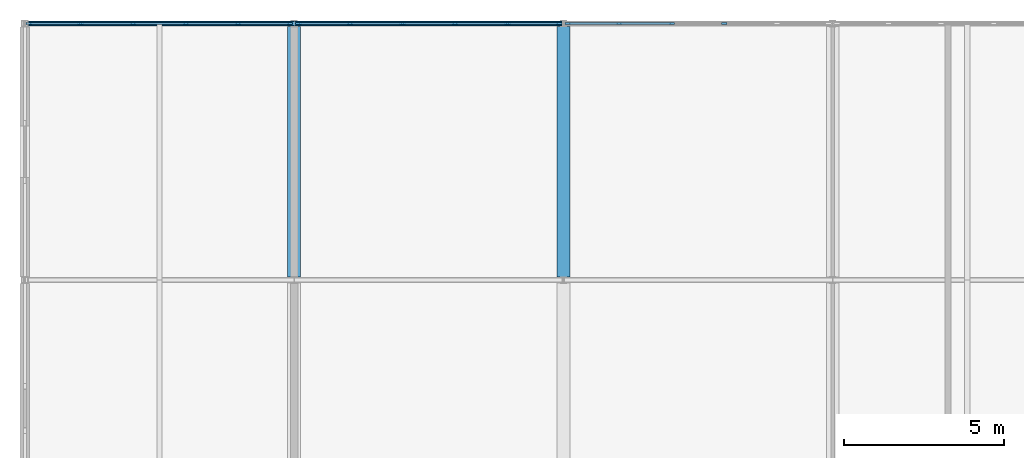
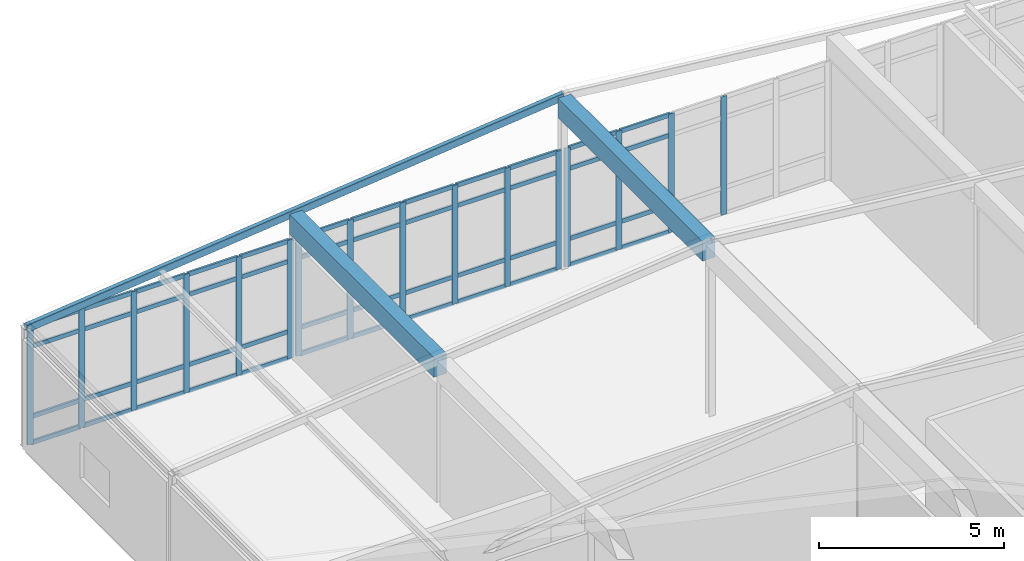
# One storey, part 12 of 25: 65 members, 2 beams, 3 elements without a shape of their own.
"""IFC4 building model written with IfcOpenShell, lengths in metres."""

from ifc_helpers import new_model, si_unit, direction, frame, origin, origin_2d, place, context, subcontext, project, spatial, rectangle, hollow_rectangle, extrude, material, layer, layer_set, material_profile, profile_set, type_object, element, aggregate, save


model = new_model("IFC4")

# Units and contexts
model_context = context("Model", 3, precision=1e-05, world=origin(), true_north=direction((0.0, 1.0)))
body_context = subcontext(model_context, "Body", "Model", "MODEL_VIEW")
ifc_project = project(units=[si_unit("LENGTHUNIT", "METRE"), si_unit("AREAUNIT", "SQUARE_METRE"), si_unit("VOLUMEUNIT", "CUBIC_METRE"), si_unit("PLANEANGLEUNIT", "RADIAN"), si_unit("MASSUNIT", "GRAM", prefix="KILO")], contexts=[model_context])

# Site, building, storey
site_placement = place(None, origin())
site = spatial("IfcSite", under=ifc_project, at=site_placement, CompositionType="ELEMENT")
building_placement = place(site_placement, origin())
building = spatial("IfcBuilding", under=site, at=building_placement, Name="Kranzveld Transit Interchange", CompositionType="ELEMENT")
storey_placement = place(building_placement, frame((0.0, 0.0, 21.0400390625)))
storey = spatial("IfcBuildingStorey", under=building, at=storey_placement, Name="L05", CompositionType="ELEMENT", Elevation=21.0400390625)

# Beams
ifc_material_1 = material(Name="Concrete C35/45", Category="concrete")
ifc_material_profile_1 = material_profile(ifc_material_1, rectangle(XDim=0.39990234375, YDim=0.64990234375, at=origin_2d()), Name="RC 400x650")
ifc_profile_set_1 = profile_set([ifc_material_profile_1], Name="Concrete C35/45")
beam_type = type_object("IfcBeamType", Name="Beam RC 400x650 C35/45", PredefinedType="BEAM", material=ifc_profile_set_1)
for number, where, z_axis, x_axis, name in (
    (1, (8.39990234375, 104.091552734375, 4.494873046875), (0.0, 1.0, 0.0), (-1.0, 0.0, 0.0), "L05 Crown Beam 02/P-Q"),
    (2, (16.800048828125, 104.091552734375, 5.39501953125), (0.0, 1.0, 0.0), (-1.0, 0.0, 0.0), "L05 Crown Beam 03/P-Q"),
):
    element("IfcBeam", number, at=place(storey_placement, frame(where, z_axis=z_axis, x_axis=x_axis)), inside=storey, type_object=beam_type, Name=name, PredefinedType="BEAM", context=body_context, shape_type="SweptSolid", body=[
        extrude(rectangle(XDim=0.39990234375, YDim=0.64990234375, at=origin_2d()), origin(), (0.0, 0.0, 1.0), 7.81689453125),
    ])

# Curtain wall, members
ifc_material_2 = material(Name="Bronze-anodised thermally broken aluminium", Category="aluminium")
ifc_layer = layer(ifc_material_2, 0.18505859375)
ifc_layer_set = layer_set([ifc_layer], Name="Bronze-anodised thermally broken aluminium")
curtain_wall_type = type_object("IfcCurtainWallType", Name="Control Crown Observation Facade CW-5", PredefinedType="USERDEFINED", material=ifc_layer_set)
curtain_wall_1_placement = place(storey_placement, origin())
curtain_wall_1 = element("IfcCurtainWall", 3, at=curtain_wall_1_placement, inside=storey, type_object=curtain_wall_type, Name="L05 Curtain Wall 01/Q-02/Q", ObjectType="CURTAIN WALL", PredefinedType="USERDEFINED")
ifc_material_3 = material(Name="Bronze-anodised thermally broken aluminium", Category="aluminium")
ifc_material_profile_2 = material_profile(ifc_material_3, rectangle(XDim=0.06494140625, YDim=0.179931640625, at=origin_2d()), Name="ALU MULLION 65x180")
ifc_profile_set_2 = profile_set([ifc_material_profile_2], Name="Bronze-anodised thermally broken aluminium")
member_type_1 = type_object("IfcMemberType", Name="Curtain Wall Mullion 65x180 Alu", PredefinedType="MULLION", material=ifc_profile_set_2)
member_1_placement = place(storey_placement, frame((0.132568359375, 112.0, 0.0), z_axis=(0.0, 0.0, 1.0), x_axis=(0.0, 1.0, 0.0)))
member_1 = element("IfcMember", 4, at=member_1_placement, type_object=member_type_1, Name="CW-5 mullion 1", PredefinedType="MULLION", context=body_context, shape_type="SweptSolid", body=[
    extrude(rectangle(XDim=0.06494140625, YDim=0.179931640625, at=origin_2d()), origin(), (0.0, 0.0, 1.0), 3.919921875),
])
member_2_placement = place(storey_placement, frame((1.73974609375, 112.0, 0.0), z_axis=(0.0, 0.0, 1.0), x_axis=(0.0, 1.0, 0.0)))
member_2 = element("IfcMember", 5, at=member_2_placement, type_object=member_type_1, Name="CW-5 mullion 2", PredefinedType="MULLION", context=body_context, shape_type="SweptSolid", body=[
    extrude(rectangle(XDim=0.06494140625, YDim=0.179931640625, at=origin_2d()), origin(), (0.0, 0.0, 1.0), 3.919921875),
])
member_3_placement = place(storey_placement, frame((3.37939453125, 112.0, 0.0), z_axis=(0.0, 0.0, 1.0), x_axis=(0.0, 1.0, 0.0)))
member_3 = element("IfcMember", 6, at=member_3_placement, type_object=member_type_1, Name="CW-5 mullion 3", PredefinedType="MULLION", context=body_context, shape_type="SweptSolid", body=[
    extrude(rectangle(XDim=0.06494140625, YDim=0.179931640625, at=origin_2d()), origin(), (0.0, 0.0, 1.0), 3.919921875),
])
member_4_placement = place(storey_placement, frame((5.018798828125, 112.0, 0.0), z_axis=(0.0, 0.0, 1.0), x_axis=(0.0, 1.0, 0.0)))
member_4 = element("IfcMember", 7, at=member_4_placement, type_object=member_type_1, Name="CW-5 mullion 4", PredefinedType="MULLION", context=body_context, shape_type="SweptSolid", body=[
    extrude(rectangle(XDim=0.06494140625, YDim=0.179931640625, at=origin_2d()), origin(), (0.0, 0.0, 1.0), 3.919921875),
])
member_5_placement = place(storey_placement, frame((6.658447265625, 112.0, 0.0), z_axis=(0.0, 0.0, 1.0), x_axis=(0.0, 1.0, 0.0)))
member_5 = element("IfcMember", 8, at=member_5_placement, type_object=member_type_1, Name="CW-5 mullion 5", PredefinedType="MULLION", context=body_context, shape_type="SweptSolid", body=[
    extrude(rectangle(XDim=0.06494140625, YDim=0.179931640625, at=origin_2d()), origin(), (0.0, 0.0, 1.0), 3.919921875),
])
member_6_placement = place(storey_placement, frame((8.265625, 112.0, 0.0), z_axis=(0.0, 0.0, 1.0), x_axis=(0.0, 1.0, 0.0)))
member_6 = element("IfcMember", 9, at=member_6_placement, type_object=member_type_1, Name="CW-5 mullion 6", PredefinedType="MULLION", context=body_context, shape_type="SweptSolid", body=[
    extrude(rectangle(XDim=0.06494140625, YDim=0.179931640625, at=origin_2d()), origin(), (0.0, 0.0, 1.0), 3.919921875),
])

curtain_wall_2_placement = place(storey_placement, origin())
curtain_wall_2 = element("IfcCurtainWall", 10, at=curtain_wall_2_placement, inside=storey, type_object=curtain_wall_type, Name="L05 Curtain Wall 02/Q-03/Q", ObjectType="CURTAIN WALL", PredefinedType="USERDEFINED")
member_7_placement = place(storey_placement, frame((8.5341796875, 112.0, 0.0), z_axis=(0.0, 0.0, 1.0), x_axis=(0.0, 1.0, 0.0)))
member_7 = element("IfcMember", 11, at=member_7_placement, type_object=member_type_1, Name="CW-5 mullion 1", PredefinedType="MULLION", context=body_context, shape_type="SweptSolid", body=[
    extrude(rectangle(XDim=0.06494140625, YDim=0.179931640625, at=origin_2d()), origin(), (0.0, 0.0, 1.0), 3.919921875),
])
member_8_placement = place(storey_placement, frame((10.14111328125, 112.0, 0.0), z_axis=(0.0, 0.0, 1.0), x_axis=(0.0, 1.0, 0.0)))
member_8 = element("IfcMember", 12, at=member_8_placement, type_object=member_type_1, Name="CW-5 mullion 2", PredefinedType="MULLION", context=body_context, shape_type="SweptSolid", body=[
    extrude(rectangle(XDim=0.06494140625, YDim=0.179931640625, at=origin_2d()), origin(), (0.0, 0.0, 1.0), 3.919921875),
])
member_9_placement = place(storey_placement, frame((11.7802734375, 112.0, 0.0), z_axis=(0.0, 0.0, 1.0), x_axis=(0.0, 1.0, 0.0)))
member_9 = element("IfcMember", 13, at=member_9_placement, type_object=member_type_1, Name="CW-5 mullion 3", PredefinedType="MULLION", context=body_context, shape_type="SweptSolid", body=[
    extrude(rectangle(XDim=0.06494140625, YDim=0.179931640625, at=origin_2d()), origin(), (0.0, 0.0, 1.0), 3.919921875),
])
member_10_placement = place(storey_placement, frame((13.419677734375, 112.0, 0.0), z_axis=(0.0, 0.0, 1.0), x_axis=(0.0, 1.0, 0.0)))
member_10 = element("IfcMember", 14, at=member_10_placement, type_object=member_type_1, Name="CW-5 mullion 4", PredefinedType="MULLION", context=body_context, shape_type="SweptSolid", body=[
    extrude(rectangle(XDim=0.06494140625, YDim=0.179931640625, at=origin_2d()), origin(), (0.0, 0.0, 1.0), 3.919921875),
])
member_11_placement = place(storey_placement, frame((15.058837890625, 112.0, 0.0), z_axis=(0.0, 0.0, 1.0), x_axis=(0.0, 1.0, 0.0)))
member_11 = element("IfcMember", 15, at=member_11_placement, type_object=member_type_1, Name="CW-5 mullion 5", PredefinedType="MULLION", context=body_context, shape_type="SweptSolid", body=[
    extrude(rectangle(XDim=0.06494140625, YDim=0.179931640625, at=origin_2d()), origin(), (0.0, 0.0, 1.0), 3.919921875),
])
member_12_placement = place(storey_placement, frame((16.665771484375, 112.0, 0.0), z_axis=(0.0, 0.0, 1.0), x_axis=(0.0, 1.0, 0.0)))
member_12 = element("IfcMember", 16, at=member_12_placement, type_object=member_type_1, Name="CW-5 mullion 6", PredefinedType="MULLION", context=body_context, shape_type="SweptSolid", body=[
    extrude(rectangle(XDim=0.06494140625, YDim=0.179931640625, at=origin_2d()), origin(), (0.0, 0.0, 1.0), 3.919921875),
])

curtain_wall_3_placement = place(storey_placement, origin())
curtain_wall_3 = element("IfcCurtainWall", 17, at=curtain_wall_3_placement, inside=storey, type_object=curtain_wall_type, Name="L05 Curtain Wall 03/Q-04/Q", ObjectType="CURTAIN WALL", PredefinedType="USERDEFINED")
member_13_placement = place(storey_placement, frame((16.934326171875, 112.0, 0.0), z_axis=(0.0, 0.0, 1.0), x_axis=(0.0, 1.0, 0.0)))
member_13 = element("IfcMember", 18, at=member_13_placement, type_object=member_type_1, Name="CW-5 mullion 1", PredefinedType="MULLION", context=body_context, shape_type="SweptSolid", body=[
    extrude(rectangle(XDim=0.06494140625, YDim=0.179931640625, at=origin_2d()), origin(), (0.0, 0.0, 1.0), 3.919921875),
])
member_14_placement = place(storey_placement, frame((18.541015625, 112.0, 0.0), z_axis=(0.0, 0.0, 1.0), x_axis=(0.0, 1.0, 0.0)))
member_14 = element("IfcMember", 19, at=member_14_placement, type_object=member_type_1, Name="CW-5 mullion 2", PredefinedType="MULLION", context=body_context, shape_type="SweptSolid", body=[
    extrude(rectangle(XDim=0.06494140625, YDim=0.179931640625, at=origin_2d()), origin(), (0.0, 0.0, 1.0), 3.919921875),
])
member_15_placement = place(storey_placement, frame((20.180419921875, 112.0, 0.0), z_axis=(0.0, 0.0, 1.0), x_axis=(0.0, 1.0, 0.0)))
member_15 = element("IfcMember", 20, at=member_15_placement, type_object=member_type_1, Name="CW-5 mullion 3", PredefinedType="MULLION", context=body_context, shape_type="SweptSolid", body=[
    extrude(rectangle(XDim=0.06494140625, YDim=0.179931640625, at=origin_2d()), origin(), (0.0, 0.0, 1.0), 3.919921875),
])
member_16_placement = place(storey_placement, frame((21.819580078125, 112.0, 0.0), z_axis=(0.0, 0.0, 1.0), x_axis=(0.0, 1.0, 0.0)))
member_16 = element("IfcMember", 21, at=member_16_placement, type_object=member_type_1, Name="CW-5 mullion 4", PredefinedType="MULLION", context=body_context, shape_type="SweptSolid", body=[
    extrude(rectangle(XDim=0.06494140625, YDim=0.179931640625, at=origin_2d()), origin(), (0.0, 0.0, 1.0), 3.919921875),
])

# Member
ifc_material_4 = material(Name="Bronze-anodised thermally broken aluminium", Category="aluminium")
ifc_material_profile_3 = material_profile(ifc_material_4, rectangle(XDim=0.06494140625, YDim=0.139892578125, at=origin_2d()), Name="ALU TRANSOM 65x140")
ifc_profile_set_3 = profile_set([ifc_material_profile_3], Name="Bronze-anodised thermally broken aluminium")
member_type_2 = type_object("IfcMemberType", Name="Curtain Wall Transom 65x140 Alu", PredefinedType="USERDEFINED", material=ifc_profile_set_3)
member_17_placement = place(storey_placement, frame((0.1650390625, 112.0, 0.032470703125), z_axis=(1.0, 0.0, 0.0), x_axis=(0.0, 1.0, 0.0)))
member_17 = element("IfcMember", 22, at=member_17_placement, type_object=member_type_2, Name="CW-5 transom 1.1", ObjectType="TRANSOM", PredefinedType="USERDEFINED", context=body_context, shape_type="SweptSolid", body=[
    extrude(rectangle(XDim=0.06494140625, YDim=0.139892578125, at=origin_2d()), origin(), (0.0, 0.0, 1.0), 1.5419921875),
])

member_18_placement = place(storey_placement, frame((0.1650390625, 112.0, 0.89990234375), z_axis=(1.0, 0.0, 0.0), x_axis=(0.0, 1.0, 0.0)))
member_18 = element("IfcMember", 23, at=member_18_placement, type_object=member_type_2, Name="CW-5 transom 1.2", ObjectType="TRANSOM", PredefinedType="USERDEFINED", context=body_context, shape_type="SweptSolid", body=[
    extrude(rectangle(XDim=0.06494140625, YDim=0.139892578125, at=origin_2d()), origin(), (0.0, 0.0, 1.0), 1.5419921875),
])

member_19_placement = place(storey_placement, frame((0.1650390625, 112.0, 3.219970703125), z_axis=(1.0, 0.0, 0.0), x_axis=(0.0, 1.0, 0.0)))
member_19 = element("IfcMember", 24, at=member_19_placement, type_object=member_type_2, Name="CW-5 transom 1.3", ObjectType="TRANSOM", PredefinedType="USERDEFINED", context=body_context, shape_type="SweptSolid", body=[
    extrude(rectangle(XDim=0.06494140625, YDim=0.139892578125, at=origin_2d()), origin(), (0.0, 0.0, 1.0), 1.5419921875),
])

member_20_placement = place(storey_placement, frame((0.1650390625, 112.0, 3.887451171875), z_axis=(1.0, 0.0, 0.0), x_axis=(0.0, 1.0, 0.0)))
member_20 = element("IfcMember", 25, at=member_20_placement, type_object=member_type_2, Name="CW-5 transom 1.4", ObjectType="TRANSOM", PredefinedType="USERDEFINED", context=body_context, shape_type="SweptSolid", body=[
    extrude(rectangle(XDim=0.06494140625, YDim=0.139892578125, at=origin_2d()), origin(), (0.0, 0.0, 1.0), 1.5419921875),
])

member_21_placement = place(storey_placement, frame((1.772216796875, 112.0, 0.032470703125), z_axis=(1.0, 0.0, 0.0), x_axis=(0.0, 1.0, 0.0)))
member_21 = element("IfcMember", 26, at=member_21_placement, type_object=member_type_2, Name="CW-5 transom 2.1", ObjectType="TRANSOM", PredefinedType="USERDEFINED", context=body_context, shape_type="SweptSolid", body=[
    extrude(rectangle(XDim=0.06494140625, YDim=0.139892578125, at=origin_2d()), origin(), (0.0, 0.0, 1.0), 1.574462890625),
])

member_22_placement = place(storey_placement, frame((1.772216796875, 112.0, 0.89990234375), z_axis=(1.0, 0.0, 0.0), x_axis=(0.0, 1.0, 0.0)))
member_22 = element("IfcMember", 27, at=member_22_placement, type_object=member_type_2, Name="CW-5 transom 2.2", ObjectType="TRANSOM", PredefinedType="USERDEFINED", context=body_context, shape_type="SweptSolid", body=[
    extrude(rectangle(XDim=0.06494140625, YDim=0.139892578125, at=origin_2d()), origin(), (0.0, 0.0, 1.0), 1.574462890625),
])

member_23_placement = place(storey_placement, frame((1.772216796875, 112.0, 3.219970703125), z_axis=(1.0, 0.0, 0.0), x_axis=(0.0, 1.0, 0.0)))
member_23 = element("IfcMember", 28, at=member_23_placement, type_object=member_type_2, Name="CW-5 transom 2.3", ObjectType="TRANSOM", PredefinedType="USERDEFINED", context=body_context, shape_type="SweptSolid", body=[
    extrude(rectangle(XDim=0.06494140625, YDim=0.139892578125, at=origin_2d()), origin(), (0.0, 0.0, 1.0), 1.574462890625),
])

member_24_placement = place(storey_placement, frame((1.772216796875, 112.0, 3.887451171875), z_axis=(1.0, 0.0, 0.0), x_axis=(0.0, 1.0, 0.0)))
member_24 = element("IfcMember", 29, at=member_24_placement, type_object=member_type_2, Name="CW-5 transom 2.4", ObjectType="TRANSOM", PredefinedType="USERDEFINED", context=body_context, shape_type="SweptSolid", body=[
    extrude(rectangle(XDim=0.06494140625, YDim=0.139892578125, at=origin_2d()), origin(), (0.0, 0.0, 1.0), 1.574462890625),
])

member_25_placement = place(storey_placement, frame((3.411865234375, 112.0, 0.032470703125), z_axis=(1.0, 0.0, 0.0), x_axis=(0.0, 1.0, 0.0)))
member_25 = element("IfcMember", 30, at=member_25_placement, type_object=member_type_2, Name="CW-5 transom 3.1", ObjectType="TRANSOM", PredefinedType="USERDEFINED", context=body_context, shape_type="SweptSolid", body=[
    extrude(rectangle(XDim=0.06494140625, YDim=0.139892578125, at=origin_2d()), origin(), (0.0, 0.0, 1.0), 1.574462890625),
])

member_26_placement = place(storey_placement, frame((3.411865234375, 112.0, 0.89990234375), z_axis=(1.0, 0.0, 0.0), x_axis=(0.0, 1.0, 0.0)))
member_26 = element("IfcMember", 31, at=member_26_placement, type_object=member_type_2, Name="CW-5 transom 3.2", ObjectType="TRANSOM", PredefinedType="USERDEFINED", context=body_context, shape_type="SweptSolid", body=[
    extrude(rectangle(XDim=0.06494140625, YDim=0.139892578125, at=origin_2d()), origin(), (0.0, 0.0, 1.0), 1.574462890625),
])

member_27_placement = place(storey_placement, frame((3.411865234375, 112.0, 3.219970703125), z_axis=(1.0, 0.0, 0.0), x_axis=(0.0, 1.0, 0.0)))
member_27 = element("IfcMember", 32, at=member_27_placement, type_object=member_type_2, Name="CW-5 transom 3.3", ObjectType="TRANSOM", PredefinedType="USERDEFINED", context=body_context, shape_type="SweptSolid", body=[
    extrude(rectangle(XDim=0.06494140625, YDim=0.139892578125, at=origin_2d()), origin(), (0.0, 0.0, 1.0), 1.574462890625),
])

member_28_placement = place(storey_placement, frame((3.411865234375, 112.0, 3.887451171875), z_axis=(1.0, 0.0, 0.0), x_axis=(0.0, 1.0, 0.0)))
member_28 = element("IfcMember", 33, at=member_28_placement, type_object=member_type_2, Name="CW-5 transom 3.4", ObjectType="TRANSOM", PredefinedType="USERDEFINED", context=body_context, shape_type="SweptSolid", body=[
    extrude(rectangle(XDim=0.06494140625, YDim=0.139892578125, at=origin_2d()), origin(), (0.0, 0.0, 1.0), 1.574462890625),
])

member_29_placement = place(storey_placement, frame((5.051513671875, 112.0, 0.032470703125), z_axis=(1.0, 0.0, 0.0), x_axis=(0.0, 1.0, 0.0)))
member_29 = element("IfcMember", 34, at=member_29_placement, type_object=member_type_2, Name="CW-5 transom 4.1", ObjectType="TRANSOM", PredefinedType="USERDEFINED", context=body_context, shape_type="SweptSolid", body=[
    extrude(rectangle(XDim=0.06494140625, YDim=0.139892578125, at=origin_2d()), origin(), (0.0, 0.0, 1.0), 1.574462890625),
])

member_30_placement = place(storey_placement, frame((5.051513671875, 112.0, 0.89990234375), z_axis=(1.0, 0.0, 0.0), x_axis=(0.0, 1.0, 0.0)))
member_30 = element("IfcMember", 35, at=member_30_placement, type_object=member_type_2, Name="CW-5 transom 4.2", ObjectType="TRANSOM", PredefinedType="USERDEFINED", context=body_context, shape_type="SweptSolid", body=[
    extrude(rectangle(XDim=0.06494140625, YDim=0.139892578125, at=origin_2d()), origin(), (0.0, 0.0, 1.0), 1.574462890625),
])

member_31_placement = place(storey_placement, frame((5.051513671875, 112.0, 3.219970703125), z_axis=(1.0, 0.0, 0.0), x_axis=(0.0, 1.0, 0.0)))
member_31 = element("IfcMember", 36, at=member_31_placement, type_object=member_type_2, Name="CW-5 transom 4.3", ObjectType="TRANSOM", PredefinedType="USERDEFINED", context=body_context, shape_type="SweptSolid", body=[
    extrude(rectangle(XDim=0.06494140625, YDim=0.139892578125, at=origin_2d()), origin(), (0.0, 0.0, 1.0), 1.574462890625),
])

member_32_placement = place(storey_placement, frame((5.051513671875, 112.0, 3.887451171875), z_axis=(1.0, 0.0, 0.0), x_axis=(0.0, 1.0, 0.0)))
member_32 = element("IfcMember", 37, at=member_32_placement, type_object=member_type_2, Name="CW-5 transom 4.4", ObjectType="TRANSOM", PredefinedType="USERDEFINED", context=body_context, shape_type="SweptSolid", body=[
    extrude(rectangle(XDim=0.06494140625, YDim=0.139892578125, at=origin_2d()), origin(), (0.0, 0.0, 1.0), 1.574462890625),
])

member_33_placement = place(storey_placement, frame((6.691162109375, 112.0, 0.032470703125), z_axis=(1.0, 0.0, 0.0), x_axis=(0.0, 1.0, 0.0)))
member_33 = element("IfcMember", 38, at=member_33_placement, type_object=member_type_2, Name="CW-5 transom 5.1", ObjectType="TRANSOM", PredefinedType="USERDEFINED", context=body_context, shape_type="SweptSolid", body=[
    extrude(rectangle(XDim=0.06494140625, YDim=0.139892578125, at=origin_2d()), origin(), (0.0, 0.0, 1.0), 1.5419921875),
])

member_34_placement = place(storey_placement, frame((6.691162109375, 112.0, 0.89990234375), z_axis=(1.0, 0.0, 0.0), x_axis=(0.0, 1.0, 0.0)))
member_34 = element("IfcMember", 39, at=member_34_placement, type_object=member_type_2, Name="CW-5 transom 5.2", ObjectType="TRANSOM", PredefinedType="USERDEFINED", context=body_context, shape_type="SweptSolid", body=[
    extrude(rectangle(XDim=0.06494140625, YDim=0.139892578125, at=origin_2d()), origin(), (0.0, 0.0, 1.0), 1.5419921875),
])

member_35_placement = place(storey_placement, frame((6.691162109375, 112.0, 3.219970703125), z_axis=(1.0, 0.0, 0.0), x_axis=(0.0, 1.0, 0.0)))
member_35 = element("IfcMember", 40, at=member_35_placement, type_object=member_type_2, Name="CW-5 transom 5.3", ObjectType="TRANSOM", PredefinedType="USERDEFINED", context=body_context, shape_type="SweptSolid", body=[
    extrude(rectangle(XDim=0.06494140625, YDim=0.139892578125, at=origin_2d()), origin(), (0.0, 0.0, 1.0), 1.5419921875),
])

member_36_placement = place(storey_placement, frame((6.691162109375, 112.0, 3.887451171875), z_axis=(1.0, 0.0, 0.0), x_axis=(0.0, 1.0, 0.0)))
member_36 = element("IfcMember", 41, at=member_36_placement, type_object=member_type_2, Name="CW-5 transom 5.4", ObjectType="TRANSOM", PredefinedType="USERDEFINED", context=body_context, shape_type="SweptSolid", body=[
    extrude(rectangle(XDim=0.06494140625, YDim=0.139892578125, at=origin_2d()), origin(), (0.0, 0.0, 1.0), 1.5419921875),
])

aggregate(curtain_wall_1, [member_1, member_2, member_3, member_4, member_5, member_6, member_17, member_18, member_19, member_20, member_21, member_22, member_23, member_24, member_25, member_26, member_27, member_28, member_29, member_30, member_31, member_32, member_33, member_34, member_35, member_36])

member_37_placement = place(storey_placement, frame((8.56689453125, 112.0, 0.032470703125), z_axis=(1.0, 0.0, 0.0), x_axis=(0.0, 1.0, 0.0)))
member_37 = element("IfcMember", 42, at=member_37_placement, type_object=member_type_2, Name="CW-5 transom 1.1", ObjectType="TRANSOM", PredefinedType="USERDEFINED", context=body_context, shape_type="SweptSolid", body=[
    extrude(rectangle(XDim=0.06494140625, YDim=0.139892578125, at=origin_2d()), origin(), (0.0, 0.0, 1.0), 1.541748046875),
])

member_38_placement = place(storey_placement, frame((8.56689453125, 112.0, 0.89990234375), z_axis=(1.0, 0.0, 0.0), x_axis=(0.0, 1.0, 0.0)))
member_38 = element("IfcMember", 43, at=member_38_placement, type_object=member_type_2, Name="CW-5 transom 1.2", ObjectType="TRANSOM", PredefinedType="USERDEFINED", context=body_context, shape_type="SweptSolid", body=[
    extrude(rectangle(XDim=0.06494140625, YDim=0.139892578125, at=origin_2d()), origin(), (0.0, 0.0, 1.0), 1.541748046875),
])

member_39_placement = place(storey_placement, frame((8.56689453125, 112.0, 3.219970703125), z_axis=(1.0, 0.0, 0.0), x_axis=(0.0, 1.0, 0.0)))
member_39 = element("IfcMember", 44, at=member_39_placement, type_object=member_type_2, Name="CW-5 transom 1.3", ObjectType="TRANSOM", PredefinedType="USERDEFINED", context=body_context, shape_type="SweptSolid", body=[
    extrude(rectangle(XDim=0.06494140625, YDim=0.139892578125, at=origin_2d()), origin(), (0.0, 0.0, 1.0), 1.541748046875),
])

member_40_placement = place(storey_placement, frame((8.56689453125, 112.0, 3.887451171875), z_axis=(1.0, 0.0, 0.0), x_axis=(0.0, 1.0, 0.0)))
member_40 = element("IfcMember", 45, at=member_40_placement, type_object=member_type_2, Name="CW-5 transom 1.4", ObjectType="TRANSOM", PredefinedType="USERDEFINED", context=body_context, shape_type="SweptSolid", body=[
    extrude(rectangle(XDim=0.06494140625, YDim=0.139892578125, at=origin_2d()), origin(), (0.0, 0.0, 1.0), 1.541748046875),
])

member_41_placement = place(storey_placement, frame((10.173583984375, 112.0, 0.032470703125), z_axis=(1.0, 0.0, 0.0), x_axis=(0.0, 1.0, 0.0)))
member_41 = element("IfcMember", 46, at=member_41_placement, type_object=member_type_2, Name="CW-5 transom 2.1", ObjectType="TRANSOM", PredefinedType="USERDEFINED", context=body_context, shape_type="SweptSolid", body=[
    extrude(rectangle(XDim=0.06494140625, YDim=0.139892578125, at=origin_2d()), origin(), (0.0, 0.0, 1.0), 1.57421875),
])

member_42_placement = place(storey_placement, frame((10.173583984375, 112.0, 0.89990234375), z_axis=(1.0, 0.0, 0.0), x_axis=(0.0, 1.0, 0.0)))
member_42 = element("IfcMember", 47, at=member_42_placement, type_object=member_type_2, Name="CW-5 transom 2.2", ObjectType="TRANSOM", PredefinedType="USERDEFINED", context=body_context, shape_type="SweptSolid", body=[
    extrude(rectangle(XDim=0.06494140625, YDim=0.139892578125, at=origin_2d()), origin(), (0.0, 0.0, 1.0), 1.57421875),
])

member_43_placement = place(storey_placement, frame((10.173583984375, 112.0, 3.219970703125), z_axis=(1.0, 0.0, 0.0), x_axis=(0.0, 1.0, 0.0)))
member_43 = element("IfcMember", 48, at=member_43_placement, type_object=member_type_2, Name="CW-5 transom 2.3", ObjectType="TRANSOM", PredefinedType="USERDEFINED", context=body_context, shape_type="SweptSolid", body=[
    extrude(rectangle(XDim=0.06494140625, YDim=0.139892578125, at=origin_2d()), origin(), (0.0, 0.0, 1.0), 1.57421875),
])

member_44_placement = place(storey_placement, frame((10.173583984375, 112.0, 3.887451171875), z_axis=(1.0, 0.0, 0.0), x_axis=(0.0, 1.0, 0.0)))
member_44 = element("IfcMember", 49, at=member_44_placement, type_object=member_type_2, Name="CW-5 transom 2.4", ObjectType="TRANSOM", PredefinedType="USERDEFINED", context=body_context, shape_type="SweptSolid", body=[
    extrude(rectangle(XDim=0.06494140625, YDim=0.139892578125, at=origin_2d()), origin(), (0.0, 0.0, 1.0), 1.57421875),
])

member_45_placement = place(storey_placement, frame((11.812744140625, 112.0, 0.032470703125), z_axis=(1.0, 0.0, 0.0), x_axis=(0.0, 1.0, 0.0)))
member_45 = element("IfcMember", 50, at=member_45_placement, type_object=member_type_2, Name="CW-5 transom 3.1", ObjectType="TRANSOM", PredefinedType="USERDEFINED", context=body_context, shape_type="SweptSolid", body=[
    extrude(rectangle(XDim=0.06494140625, YDim=0.139892578125, at=origin_2d()), origin(), (0.0, 0.0, 1.0), 1.574462890625),
])

member_46_placement = place(storey_placement, frame((11.812744140625, 112.0, 0.89990234375), z_axis=(1.0, 0.0, 0.0), x_axis=(0.0, 1.0, 0.0)))
member_46 = element("IfcMember", 51, at=member_46_placement, type_object=member_type_2, Name="CW-5 transom 3.2", ObjectType="TRANSOM", PredefinedType="USERDEFINED", context=body_context, shape_type="SweptSolid", body=[
    extrude(rectangle(XDim=0.06494140625, YDim=0.139892578125, at=origin_2d()), origin(), (0.0, 0.0, 1.0), 1.574462890625),
])

member_47_placement = place(storey_placement, frame((11.812744140625, 112.0, 3.219970703125), z_axis=(1.0, 0.0, 0.0), x_axis=(0.0, 1.0, 0.0)))
member_47 = element("IfcMember", 52, at=member_47_placement, type_object=member_type_2, Name="CW-5 transom 3.3", ObjectType="TRANSOM", PredefinedType="USERDEFINED", context=body_context, shape_type="SweptSolid", body=[
    extrude(rectangle(XDim=0.06494140625, YDim=0.139892578125, at=origin_2d()), origin(), (0.0, 0.0, 1.0), 1.574462890625),
])

member_48_placement = place(storey_placement, frame((11.812744140625, 112.0, 3.887451171875), z_axis=(1.0, 0.0, 0.0), x_axis=(0.0, 1.0, 0.0)))
member_48 = element("IfcMember", 53, at=member_48_placement, type_object=member_type_2, Name="CW-5 transom 3.4", ObjectType="TRANSOM", PredefinedType="USERDEFINED", context=body_context, shape_type="SweptSolid", body=[
    extrude(rectangle(XDim=0.06494140625, YDim=0.139892578125, at=origin_2d()), origin(), (0.0, 0.0, 1.0), 1.574462890625),
])

member_49_placement = place(storey_placement, frame((13.4521484375, 112.0, 0.032470703125), z_axis=(1.0, 0.0, 0.0), x_axis=(0.0, 1.0, 0.0)))
member_49 = element("IfcMember", 54, at=member_49_placement, type_object=member_type_2, Name="CW-5 transom 4.1", ObjectType="TRANSOM", PredefinedType="USERDEFINED", context=body_context, shape_type="SweptSolid", body=[
    extrude(rectangle(XDim=0.06494140625, YDim=0.139892578125, at=origin_2d()), origin(), (0.0, 0.0, 1.0), 1.57421875),
])

member_50_placement = place(storey_placement, frame((13.4521484375, 112.0, 0.89990234375), z_axis=(1.0, 0.0, 0.0), x_axis=(0.0, 1.0, 0.0)))
member_50 = element("IfcMember", 55, at=member_50_placement, type_object=member_type_2, Name="CW-5 transom 4.2", ObjectType="TRANSOM", PredefinedType="USERDEFINED", context=body_context, shape_type="SweptSolid", body=[
    extrude(rectangle(XDim=0.06494140625, YDim=0.139892578125, at=origin_2d()), origin(), (0.0, 0.0, 1.0), 1.57421875),
])

member_51_placement = place(storey_placement, frame((13.4521484375, 112.0, 3.219970703125), z_axis=(1.0, 0.0, 0.0), x_axis=(0.0, 1.0, 0.0)))
member_51 = element("IfcMember", 56, at=member_51_placement, type_object=member_type_2, Name="CW-5 transom 4.3", ObjectType="TRANSOM", PredefinedType="USERDEFINED", context=body_context, shape_type="SweptSolid", body=[
    extrude(rectangle(XDim=0.06494140625, YDim=0.139892578125, at=origin_2d()), origin(), (0.0, 0.0, 1.0), 1.57421875),
])

member_52_placement = place(storey_placement, frame((13.4521484375, 112.0, 3.887451171875), z_axis=(1.0, 0.0, 0.0), x_axis=(0.0, 1.0, 0.0)))
member_52 = element("IfcMember", 57, at=member_52_placement, type_object=member_type_2, Name="CW-5 transom 4.4", ObjectType="TRANSOM", PredefinedType="USERDEFINED", context=body_context, shape_type="SweptSolid", body=[
    extrude(rectangle(XDim=0.06494140625, YDim=0.139892578125, at=origin_2d()), origin(), (0.0, 0.0, 1.0), 1.57421875),
])

member_53_placement = place(storey_placement, frame((15.09130859375, 112.0, 0.032470703125), z_axis=(1.0, 0.0, 0.0), x_axis=(0.0, 1.0, 0.0)))
member_53 = element("IfcMember", 58, at=member_53_placement, type_object=member_type_2, Name="CW-5 transom 5.1", ObjectType="TRANSOM", PredefinedType="USERDEFINED", context=body_context, shape_type="SweptSolid", body=[
    extrude(rectangle(XDim=0.06494140625, YDim=0.139892578125, at=origin_2d()), origin(), (0.0, 0.0, 1.0), 1.5419921875),
])

member_54_placement = place(storey_placement, frame((15.09130859375, 112.0, 0.89990234375), z_axis=(1.0, 0.0, 0.0), x_axis=(0.0, 1.0, 0.0)))
member_54 = element("IfcMember", 59, at=member_54_placement, type_object=member_type_2, Name="CW-5 transom 5.2", ObjectType="TRANSOM", PredefinedType="USERDEFINED", context=body_context, shape_type="SweptSolid", body=[
    extrude(rectangle(XDim=0.06494140625, YDim=0.139892578125, at=origin_2d()), origin(), (0.0, 0.0, 1.0), 1.5419921875),
])

member_55_placement = place(storey_placement, frame((15.09130859375, 112.0, 3.219970703125), z_axis=(1.0, 0.0, 0.0), x_axis=(0.0, 1.0, 0.0)))
member_55 = element("IfcMember", 60, at=member_55_placement, type_object=member_type_2, Name="CW-5 transom 5.3", ObjectType="TRANSOM", PredefinedType="USERDEFINED", context=body_context, shape_type="SweptSolid", body=[
    extrude(rectangle(XDim=0.06494140625, YDim=0.139892578125, at=origin_2d()), origin(), (0.0, 0.0, 1.0), 1.5419921875),
])

member_56_placement = place(storey_placement, frame((15.09130859375, 112.0, 3.887451171875), z_axis=(1.0, 0.0, 0.0), x_axis=(0.0, 1.0, 0.0)))
member_56 = element("IfcMember", 61, at=member_56_placement, type_object=member_type_2, Name="CW-5 transom 5.4", ObjectType="TRANSOM", PredefinedType="USERDEFINED", context=body_context, shape_type="SweptSolid", body=[
    extrude(rectangle(XDim=0.06494140625, YDim=0.139892578125, at=origin_2d()), origin(), (0.0, 0.0, 1.0), 1.5419921875),
])

aggregate(curtain_wall_2, [member_7, member_8, member_9, member_10, member_11, member_12, member_37, member_38, member_39, member_40, member_41, member_42, member_43, member_44, member_45, member_46, member_47, member_48, member_49, member_50, member_51, member_52, member_53, member_54, member_55, member_56])

member_57_placement = place(storey_placement, frame((16.966796875, 112.0, 0.032470703125), z_axis=(1.0, 0.0, 0.0), x_axis=(0.0, 1.0, 0.0)))
member_57 = element("IfcMember", 62, at=member_57_placement, type_object=member_type_2, Name="CW-5 transom 1.1", ObjectType="TRANSOM", PredefinedType="USERDEFINED", context=body_context, shape_type="SweptSolid", body=[
    extrude(rectangle(XDim=0.06494140625, YDim=0.139892578125, at=origin_2d()), origin(), (0.0, 0.0, 1.0), 1.541748046875),
])

member_58_placement = place(storey_placement, frame((16.966796875, 112.0, 0.89990234375), z_axis=(1.0, 0.0, 0.0), x_axis=(0.0, 1.0, 0.0)))
member_58 = element("IfcMember", 63, at=member_58_placement, type_object=member_type_2, Name="CW-5 transom 1.2", ObjectType="TRANSOM", PredefinedType="USERDEFINED", context=body_context, shape_type="SweptSolid", body=[
    extrude(rectangle(XDim=0.06494140625, YDim=0.139892578125, at=origin_2d()), origin(), (0.0, 0.0, 1.0), 1.541748046875),
])

member_59_placement = place(storey_placement, frame((16.966796875, 112.0, 3.219970703125), z_axis=(1.0, 0.0, 0.0), x_axis=(0.0, 1.0, 0.0)))
member_59 = element("IfcMember", 64, at=member_59_placement, type_object=member_type_2, Name="CW-5 transom 1.3", ObjectType="TRANSOM", PredefinedType="USERDEFINED", context=body_context, shape_type="SweptSolid", body=[
    extrude(rectangle(XDim=0.06494140625, YDim=0.139892578125, at=origin_2d()), origin(), (0.0, 0.0, 1.0), 1.541748046875),
])

member_60_placement = place(storey_placement, frame((16.966796875, 112.0, 3.887451171875), z_axis=(1.0, 0.0, 0.0), x_axis=(0.0, 1.0, 0.0)))
member_60 = element("IfcMember", 65, at=member_60_placement, type_object=member_type_2, Name="CW-5 transom 1.4", ObjectType="TRANSOM", PredefinedType="USERDEFINED", context=body_context, shape_type="SweptSolid", body=[
    extrude(rectangle(XDim=0.06494140625, YDim=0.139892578125, at=origin_2d()), origin(), (0.0, 0.0, 1.0), 1.541748046875),
])

member_61_placement = place(storey_placement, frame((18.573486328125, 112.0, 0.032470703125), z_axis=(1.0, 0.0, 0.0), x_axis=(0.0, 1.0, 0.0)))
member_61 = element("IfcMember", 66, at=member_61_placement, type_object=member_type_2, Name="CW-5 transom 2.1", ObjectType="TRANSOM", PredefinedType="USERDEFINED", context=body_context, shape_type="SweptSolid", body=[
    extrude(rectangle(XDim=0.06494140625, YDim=0.139892578125, at=origin_2d()), origin(), (0.0, 0.0, 1.0), 1.574462890625),
])

member_62_placement = place(storey_placement, frame((18.573486328125, 112.0, 0.89990234375), z_axis=(1.0, 0.0, 0.0), x_axis=(0.0, 1.0, 0.0)))
member_62 = element("IfcMember", 67, at=member_62_placement, type_object=member_type_2, Name="CW-5 transom 2.2", ObjectType="TRANSOM", PredefinedType="USERDEFINED", context=body_context, shape_type="SweptSolid", body=[
    extrude(rectangle(XDim=0.06494140625, YDim=0.139892578125, at=origin_2d()), origin(), (0.0, 0.0, 1.0), 1.574462890625),
])

member_63_placement = place(storey_placement, frame((18.573486328125, 112.0, 3.219970703125), z_axis=(1.0, 0.0, 0.0), x_axis=(0.0, 1.0, 0.0)))
member_63 = element("IfcMember", 68, at=member_63_placement, type_object=member_type_2, Name="CW-5 transom 2.3", ObjectType="TRANSOM", PredefinedType="USERDEFINED", context=body_context, shape_type="SweptSolid", body=[
    extrude(rectangle(XDim=0.06494140625, YDim=0.139892578125, at=origin_2d()), origin(), (0.0, 0.0, 1.0), 1.574462890625),
])

member_64_placement = place(storey_placement, frame((18.573486328125, 112.0, 3.887451171875), z_axis=(1.0, 0.0, 0.0), x_axis=(0.0, 1.0, 0.0)))
member_64 = element("IfcMember", 69, at=member_64_placement, type_object=member_type_2, Name="CW-5 transom 2.4", ObjectType="TRANSOM", PredefinedType="USERDEFINED", context=body_context, shape_type="SweptSolid", body=[
    extrude(rectangle(XDim=0.06494140625, YDim=0.139892578125, at=origin_2d()), origin(), (0.0, 0.0, 1.0), 1.574462890625),
])

aggregate(curtain_wall_3, [member_13, member_14, member_15, member_16, member_57, member_58, member_59, member_60, member_61, member_62, member_63, member_64])

ifc_material_5 = material(Name="Steel S355JR", Category="steel")
ifc_material_profile_4 = material_profile(ifc_material_5, hollow_rectangle(XDim=0.14990234375, YDim=0.25, WallThickness=0.008056640625, InnerFilletRadius=0.011962890625, OuterFilletRadius=0.02001953125, at=origin_2d()), Name="RHS 250x150x8")
ifc_profile_set_4 = profile_set([ifc_material_profile_4], Name="Steel S355JR")
member_type_3 = type_object("IfcMemberType", Name="Truss Chord RHS 250x150x8 S355JR", PredefinedType="CHORD", material=ifc_profile_set_4)
member_65_placement = place(storey_placement, frame((0.0, 112.0, 3.8798828125), z_axis=(0.994308880598, 0.0, 0.106535674606), x_axis=(0.0, 1.0, 0.0)))
element("IfcMember", 70, at=member_65_placement, inside=storey, type_object=member_type_3, Name="L05 Vaulted Crown Rafter Q-W", PredefinedType="CHORD", context=body_context, shape_type="SweptSolid", body=[
    extrude(hollow_rectangle(XDim=0.14990234375, YDim=0.25, WallThickness=0.008056640625, InnerFilletRadius=0.011962890625, OuterFilletRadius=0.02001953125, at=origin_2d()), origin(), (0.0, 0.0, 1.0), 16.896240234375),
])

save(model, "model.ifc")
